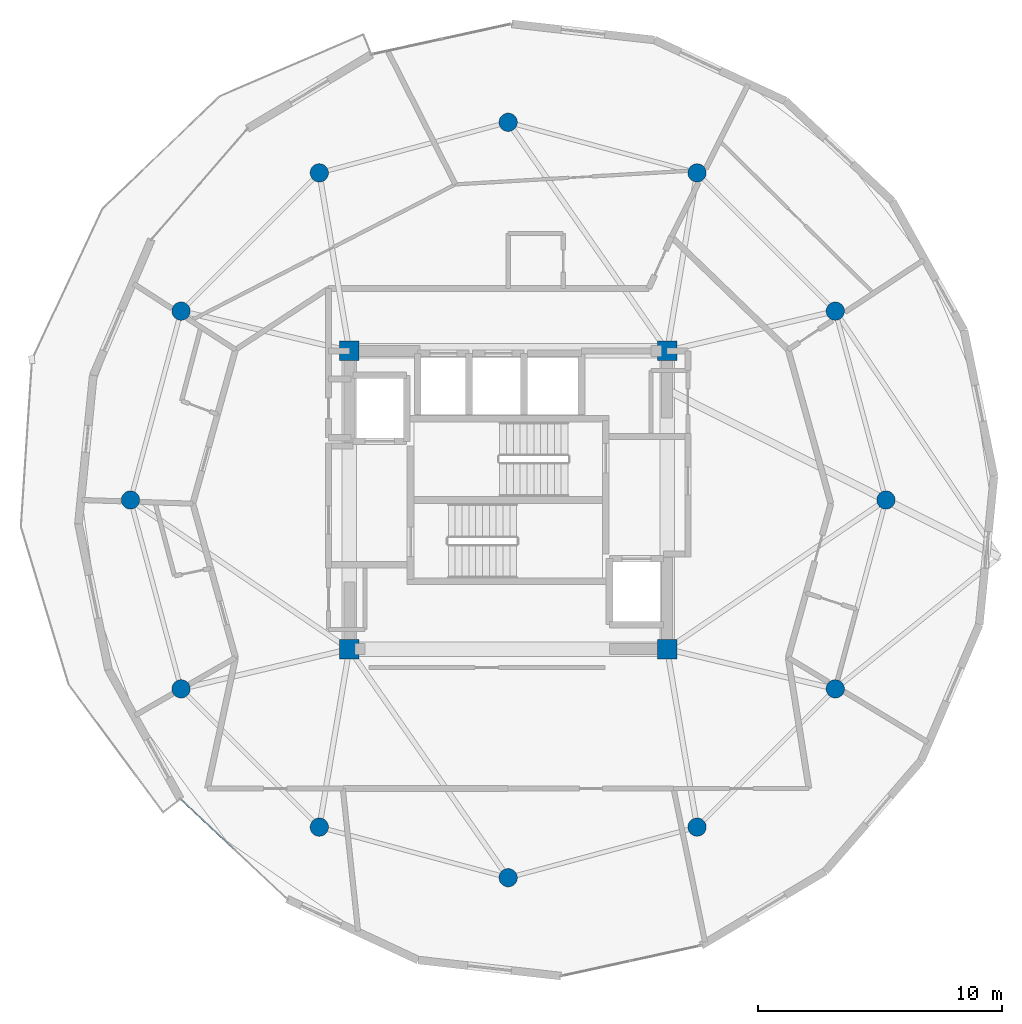
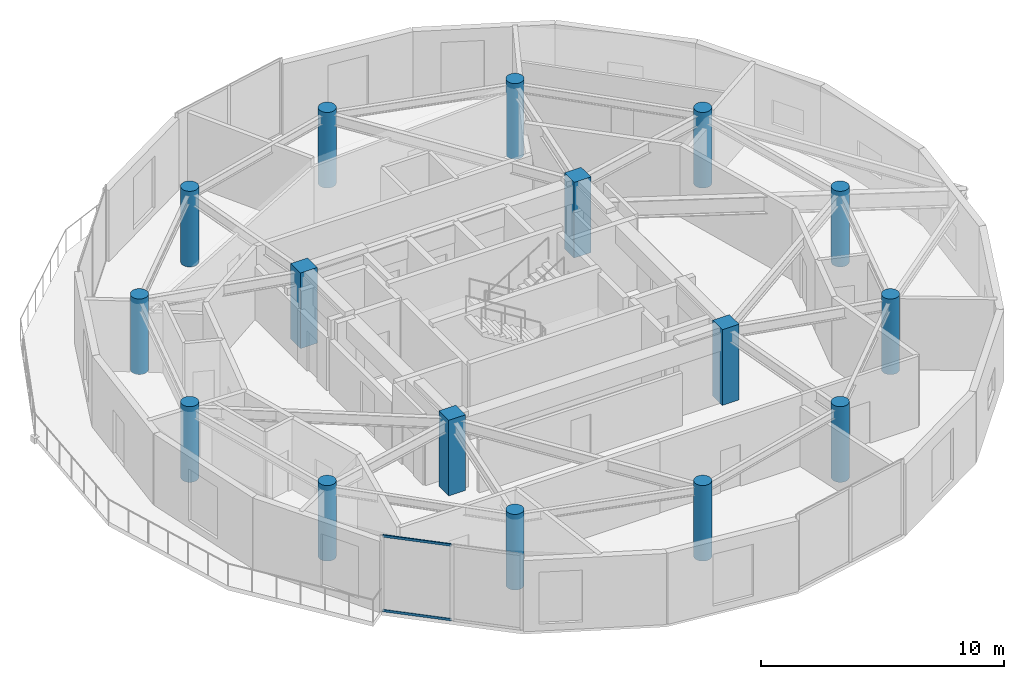
# One storey, part 1 of 15: 16 columns, 2 members, 1 element without a shape of its own.
"""IFC4 building model written with IfcOpenShell, lengths in metres."""

from ifc_helpers import new_model, si_unit, direction, frame, origin, origin_2d, place, context, subcontext, project, spatial, rectangle, hollow_rectangle, circle, extrude, source, transform, mapped, material, layer, layer_set, material_profile, profile_set, type_object, element, aggregate, save


model = new_model("IFC4")

# Units and contexts
model_context = context("Model", 3, precision=1e-05, world=origin(), true_north=direction((0.0, 1.0)))
body_context = subcontext(model_context, "Body", "Model", "MODEL_VIEW")
ifc_project = project(units=[si_unit("LENGTHUNIT", "METRE"), si_unit("AREAUNIT", "SQUARE_METRE"), si_unit("VOLUMEUNIT", "CUBIC_METRE"), si_unit("PLANEANGLEUNIT", "RADIAN"), si_unit("MASSUNIT", "GRAM", prefix="KILO")], contexts=[model_context])

# Site, building, storey
site_placement = place(None, origin())
site = spatial("IfcSite", under=ifc_project, at=site_placement, CompositionType="ELEMENT")
building_placement = place(site_placement, origin())
building = spatial("IfcBuilding", under=site, at=building_placement, Name="Solvirekh Grand Hotel", CompositionType="ELEMENT")
storey_placement = place(building_placement, frame((0.0, 0.0, 270.60009765625)))
storey = spatial("IfcBuildingStorey", under=building, at=storey_placement, Name="L70", CompositionType="ELEMENT", Elevation=270.60009765625)

# Columns
ifc_material_1 = material(Name="Concrete C50/60", Category="concrete")
ifc_material_profile_1 = material_profile(ifc_material_1, rectangle(XDim=0.800048828125, YDim=0.800048828125, at=origin_2d()), Name="RC 800X800")
ifc_profile_set_1 = profile_set([ifc_material_profile_1], Name="Concrete C50/60")
column_type_1 = type_object("IfcColumnType", Name="Col_Core_800", PredefinedType="COLUMN", material=ifc_profile_set_1)
for number, where, z_axis, x_axis, name in (
    (1, (-6.5, -6.10009765625, 0.0), (0.0, 0.0, 1.0), (1.0, 0.0, 0.0), "L70 core corner column CC1"),
    (2, (6.5, -6.10009765625, 0.0), (0.0, 0.0, 1.0), (1.0, 0.0, 0.0), "L70 core corner column CC2"),
    (3, (6.5, 6.10009765625, 0.0), (0.0, 0.0, 1.0), (1.0, 0.0, 0.0), "L70 core corner column CC3"),
    (4, (-6.5, 6.10009765625, 0.0), (0.0, 0.0, 1.0), (1.0, 0.0, 0.0), "L70 core corner column CC4"),
):
    element("IfcColumn", number, at=place(storey_placement, frame(where, z_axis=z_axis, x_axis=x_axis)), inside=storey, type_object=column_type_1, Name=name, PredefinedType="COLUMN", context=body_context, shape_type="SweptSolid", body=[
        extrude(rectangle(XDim=0.800048828125, YDim=0.800048828125, at=origin_2d()), origin(), (0.0, 0.0, 1.0), 3.7998046875),
    ])
ifc_material_profile_2 = material_profile(ifc_material_1, circle(Radius=0.375, at=origin_2d()), Name="RC CIRC D750")
ifc_profile_set_2 = profile_set([ifc_material_profile_2], Name="Concrete C50/60")
column_type_2 = type_object("IfcColumnType", Name="Col_Z4_D750", PredefinedType="COLUMN", material=ifc_profile_set_2)
for number, where, z_axis, x_axis, name in (
    (5, (15.449951171875, 0.0, 0.0), (0.0, 0.0, 1.0), (1.0, 0.0, 0.0), "L70 perimeter column P01"),
    (6, (13.3798828125, 7.72509765625, 0.0), (0.0, 0.0, 1.0), (1.0, 0.0, 0.0), "L70 perimeter column P02"),
    (7, (7.72509765625, 13.3798828125, 0.0), (0.0, 0.0, 1.0), (1.0, 0.0, 0.0), "L70 perimeter column P03"),
    (8, (0.0, 15.449951171875, 0.0), (0.0, 0.0, 1.0), (1.0, 0.0, 0.0), "L70 perimeter column P04"),
    (9, (-7.72509765625, 13.3798828125, 0.0), (0.0, 0.0, 1.0), (1.0, 0.0, 0.0), "L70 perimeter column P05"),
    (10, (-13.3798828125, 7.72509765625, 0.0), (0.0, 0.0, 1.0), (1.0, 0.0, 0.0), "L70 perimeter column P06"),
    (11, (-15.449951171875, 0.0, 0.0), (0.0, 0.0, 1.0), (1.0, 0.0, 0.0), "L70 perimeter column P07"),
    (12, (-13.3798828125, -7.72509765625, 0.0), (0.0, 0.0, 1.0), (1.0, 0.0, 0.0), "L70 perimeter column P08"),
    (13, (-7.72509765625, -13.3798828125, 0.0), (0.0, 0.0, 1.0), (1.0, 0.0, 0.0), "L70 perimeter column P09"),
    (14, (0.0, -15.449951171875, 0.0), (0.0, 0.0, 1.0), (1.0, 0.0, 0.0), "L70 perimeter column P10"),
    (15, (7.72509765625, -13.3798828125, 0.0), (0.0, 0.0, 1.0), (1.0, 0.0, 0.0), "L70 perimeter column P11"),
    (16, (13.3798828125, -7.72509765625, 0.0), (0.0, 0.0, 1.0), (1.0, 0.0, 0.0), "L70 perimeter column P12"),
):
    element("IfcColumn", number, at=place(storey_placement, frame(where, z_axis=z_axis, x_axis=x_axis)), inside=storey, type_object=column_type_2, Name=name, PredefinedType="COLUMN", context=body_context, shape_type="SweptSolid", body=[
        extrude(circle(Radius=0.375, at=origin_2d()), origin(), (0.0, 0.0, 1.0), 3.7998046875),
    ])

# Curtain wall, members
ifc_material_2 = material(Name="Anodized Bronze Aluminium 6063-T6", Category="aluminium")
ifc_layer = layer(ifc_material_2, 0.159912109375)
ifc_layer_set = layer_set([ifc_layer], Name="Anodized Bronze Aluminium 6063-T6")
curtain_wall_type = type_object("IfcCurtainWallType", Name="CW_Sys4_HighZoneFlushBronzeCW", PredefinedType="NOTDEFINED", material=ifc_layer_set)
curtain_wall_placement = place(storey_placement, origin())
curtain_wall = element("IfcCurtainWall", 17, at=curtain_wall_placement, inside=storey, type_object=curtain_wall_type, Name="L70 unitised bronze-glass curtain wall CW-L70-C18", PredefinedType="NOTDEFINED")
ifc_material_profile_3 = material_profile(ifc_material_2, hollow_rectangle(XDim=0.054931640625, YDim=0.1201171875, WallThickness=0.00390625, at=origin_2d()), Name="ALU RHS 120X55X4")
ifc_profile_set_3 = profile_set([ifc_material_profile_3], Name="Anodized Bronze Aluminium 6063-T6")
member_type = type_object("IfcMemberType", Name="CWTransom_Sys4", PredefinedType="USERDEFINED", material=ifc_profile_set_3)
shared_shape = source(origin(), body_context, "Body", "SweptSolid", [
    extrude(hollow_rectangle(XDim=0.054931640625, YDim=0.1201171875, WallThickness=0.00390625, at=origin_2d()), origin(), (0.0, 0.0, 1.0), 2.90234375),
])
member_1_placement = place(storey_placement, frame((-13.36328125, -12.27099609375, 0.02734375), z_axis=(0.729371923285, -0.684117385778, 0.0), x_axis=(0.684117385778, 0.729371923285, 0.0)))
member_1 = element("IfcMember", 18, at=member_1_placement, type_object=member_type, Name="U04 transom 1.1", ObjectType="TRANSOM", PredefinedType="USERDEFINED", context=body_context, shape_type="MappedRepresentation", body=[
    mapped(shared_shape, transform((0.0, 0.0, 0.0), x_axis=(1.0, 0.0, 0.0), y_axis=(0.0, 1.0, 0.0), z_axis=(0.0, 0.0, 1.0), scale=1.0)),
])
member_2_placement = place(storey_placement, frame((-13.36328125, -12.27099609375, 3.7724609375), z_axis=(0.729371923285, -0.684117385778, 0.0), x_axis=(0.684117385778, 0.729371923285, 0.0)))
member_2 = element("IfcMember", 19, at=member_2_placement, type_object=member_type, Name="U04 transom 1.2", ObjectType="TRANSOM", PredefinedType="USERDEFINED", context=body_context, shape_type="MappedRepresentation", body=[
    mapped(shared_shape, transform((0.0, 0.0, 0.0), x_axis=(1.0, 0.0, 0.0), y_axis=(0.0, 1.0, 0.0), z_axis=(0.0, 0.0, 1.0), scale=1.0)),
])
aggregate(curtain_wall, [member_1, member_2])

save(model, "model.ifc")
